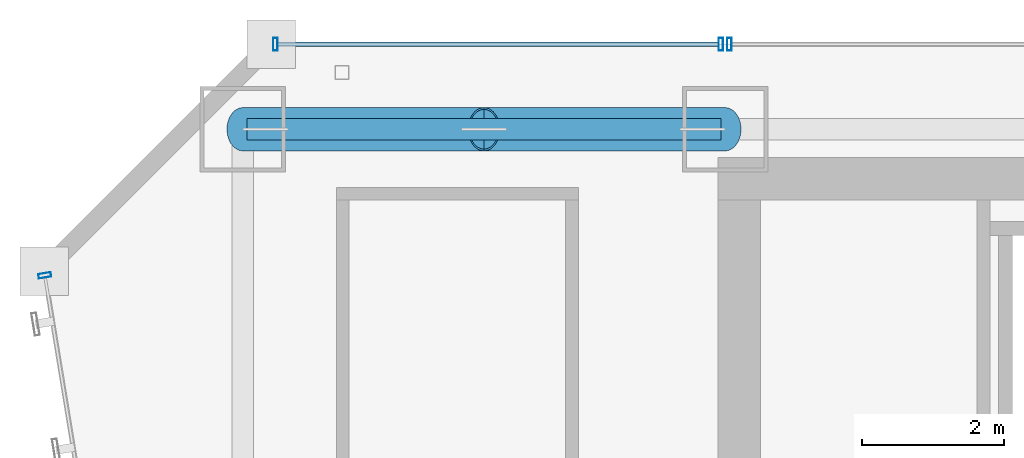
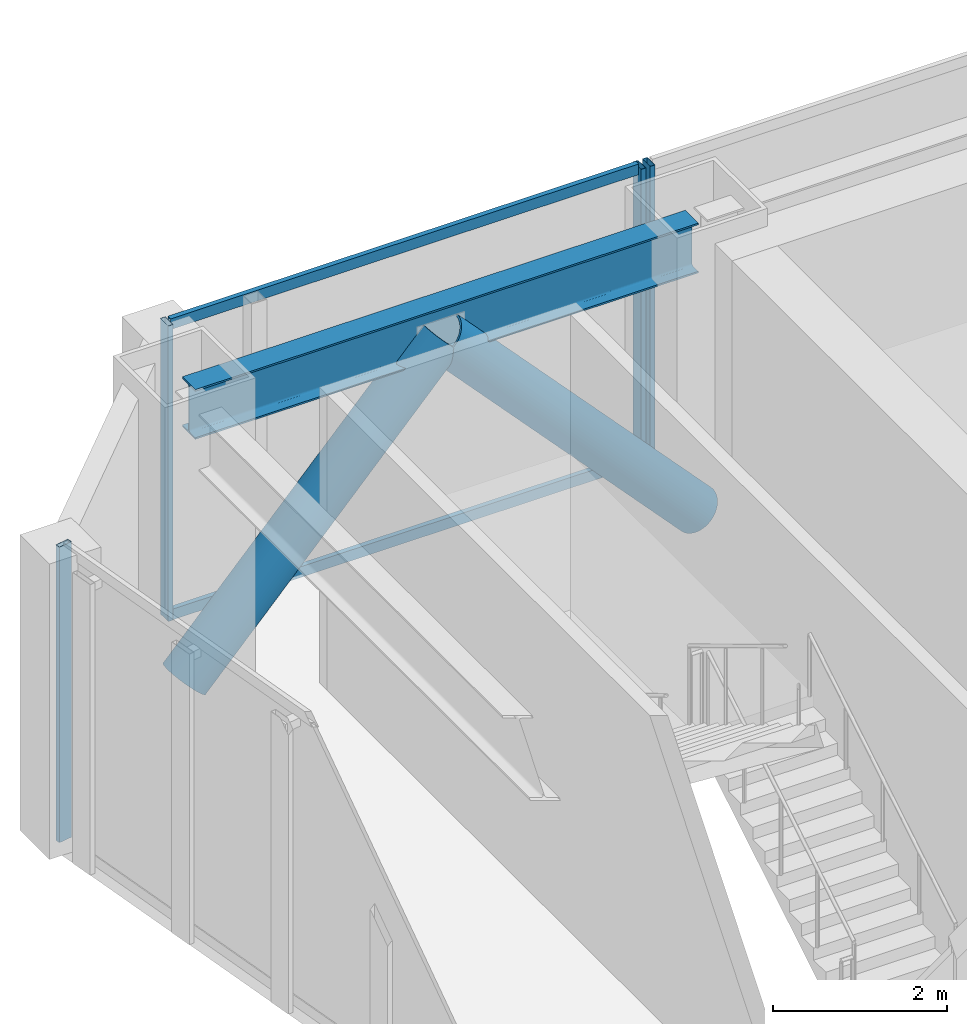
# One storey, part 26 of 47: 8 members, 1 beam, 3 elements without a shape of their own.
"""IFC4 building model written with IfcOpenShell, lengths in metres."""

from ifc_helpers import new_model, si_unit, direction, frame, origin, origin_2d, place, context, subcontext, project, spatial, hollow_rectangle, hollow_circle, i_section, extrude, material, material_profile, profile_set, type_object, element, aggregate, save


model = new_model("IFC4")

# Units and contexts
model_context = context("Model", 3, precision=1e-05, world=origin(), true_north=direction((0.0, 1.0)))
body_context = subcontext(model_context, "Body", "Model", "MODEL_VIEW")
ifc_project = project(units=[si_unit("LENGTHUNIT", "METRE"), si_unit("AREAUNIT", "SQUARE_METRE"), si_unit("VOLUMEUNIT", "CUBIC_METRE"), si_unit("PLANEANGLEUNIT", "RADIAN"), si_unit("MASSUNIT", "GRAM", prefix="KILO")], contexts=[model_context])

# Site, building, storey
site_placement = place(None, origin())
site = spatial("IfcSite", under=ifc_project, at=site_placement, CompositionType="ELEMENT")
building_placement = place(site_placement, origin())
building = spatial("IfcBuilding", under=site, at=building_placement, Name="Saevonmaru Cultural Tower", CompositionType="ELEMENT")
storey_placement = place(building_placement, frame((0.0, 0.0, 92.800048828125)))
storey = spatial("IfcBuildingStorey", under=building, at=storey_placement, Name="L19", CompositionType="ELEMENT", Elevation=92.800048828125)

# Beam
ifc_material_1 = material(Name="Steel SM355", Category="steel")
ifc_material_profile_1 = material_profile(ifc_material_1, i_section(OverallWidth=0.300048828125, OverallDepth=0.699951171875, WebThickness=0.012939453125, FlangeThickness=0.02392578125, FilletRadius=0.02587890625, at=origin_2d()), Name="H-700x300x13x24")
ifc_profile_set_1 = profile_set([ifc_material_profile_1], Name="Steel SM355")
beam_type = type_object("IfcBeamType", Name="BM-SP-H700", PredefinedType="SPANDREL", material=ifc_profile_set_1)
beam_placement = place(storey_placement, frame((6.860107421875, 54.800048828125, 3.800048828125), z_axis=(1.0, 0.0, 0.0), x_axis=(0.0, 1.0, 0.0)))
element("IfcBeam", 1, at=beam_placement, inside=storey, type_object=beam_type, Name="L19 North Spine Girder 1", PredefinedType="SPANDREL", context=body_context, shape_type="SweptSolid", body=[
    extrude(i_section(OverallWidth=0.300048828125, OverallDepth=0.699951171875, WebThickness=0.012939453125, FlangeThickness=0.02392578125, FilletRadius=0.02587890625, at=origin_2d()), origin(), (0.0, 0.0, 1.0), 6.679931640625),
])

# Members
ifc_material_2 = material(Name="Steel HSA600 (600 MPa)", Category="steel")
ifc_material_profile_2 = material_profile(ifc_material_2, hollow_circle(Radius=0.3046875, WallThickness=0.02490234375, at=origin_2d()), Name="CHS-609.6x25")
ifc_profile_set_2 = profile_set([ifc_material_profile_2], Name="Steel HSA600 (600 MPa)")
member_type_1 = type_object("IfcMemberType", Name="MB-PBR-CHS610", PredefinedType="BRACE", material=ifc_profile_set_2)
member_1_placement = place(storey_placement, frame((6.800048828125, 54.800048828125, 0.02001953125), z_axis=(0.681602937137, 0.0, 0.73172223971), x_axis=(0.0, 1.0, 0.0)))
element("IfcMember", 2, at=member_1_placement, inside=storey, type_object=member_type_1, Name="L19 Perimeter Braced-Tube Diagonal WN1", PredefinedType="BRACE", context=body_context, shape_type="SweptSolid", body=[
    extrude(hollow_circle(Radius=0.3046875, WallThickness=0.02490234375, at=origin_2d()), origin(), (0.0, 0.0, 1.0), 4.988037109375),
])
member_2_placement = place(storey_placement, frame((13.60009765625, 54.800048828125, 0.02001953125), z_axis=(-0.681629141635, 0.0, 0.731697829212), x_axis=(0.0, -1.0, 0.0)))
element("IfcMember", 3, at=member_2_placement, inside=storey, type_object=member_type_1, Name="L19 Perimeter Braced-Tube Diagonal WN2", PredefinedType="BRACE", context=body_context, shape_type="SweptSolid", body=[
    extrude(hollow_circle(Radius=0.3046875, WallThickness=0.02490234375, at=origin_2d()), origin(), (0.0, 0.0, 1.0), 4.98828125),
])

# Curtain wall, member
ifc_material_3 = material(Name="Satin Bronze Anodised Aluminium", Category="aluminium")
curtain_wall_type = type_object("IfcCurtainWallType", Name="CW-TYP-A", PredefinedType="NOTDEFINED", material=ifc_material_3)
curtain_wall_1_placement = place(storey_placement, origin())
curtain_wall_1 = element("IfcCurtainWall", 4, at=curtain_wall_1_placement, inside=storey, type_object=curtain_wall_type, Name="L19 North Spine Unitised Curtain Wall E10B", PredefinedType="NOTDEFINED")
ifc_material_profile_3 = material_profile(ifc_material_3, hollow_rectangle(XDim=0.06494140625, YDim=0.179931640625, WallThickness=0.00390625, at=origin_2d()), Name="ALU-MULL-180x65x4")
ifc_profile_set_3 = profile_set([ifc_material_profile_3], Name="Satin Bronze Anodised Aluminium")
member_type_2 = type_object("IfcMemberType", Name="ML-CW-180x65", PredefinedType="MULLION", material=ifc_profile_set_3)
member_3_placement = place(storey_placement, frame((13.659912109375, 56.0, 0.0), z_axis=(0.0, 0.0, 1.0), x_axis=(-1.0, 0.0, 0.0)))
member_3 = element("IfcMember", 5, at=member_3_placement, type_object=member_type_2, Name="CW-TW-L19-E10B mullion 4", PredefinedType="MULLION", context=body_context, shape_type="SweptSolid", body=[
    extrude(hollow_rectangle(XDim=0.06494140625, YDim=0.179931640625, WallThickness=0.00390625, at=origin_2d()), origin(), (0.0, 0.0, 1.0), 4.14990234375),
])
aggregate(curtain_wall_1, [member_3])

# Curtain wall, members
curtain_wall_2_placement = place(storey_placement, origin())
curtain_wall_2 = element("IfcCurtainWall", 6, at=curtain_wall_2_placement, inside=storey, type_object=curtain_wall_type, Name="L19 West Braced Bay Spandrel Curtain Wall E10C", PredefinedType="NOTDEFINED")
member_4_placement = place(storey_placement, frame((13.5400390625, 56.0, 0.0), z_axis=(0.0, 0.0, 1.0), x_axis=(-1.0, 0.0, 0.0)))
member_4 = element("IfcMember", 7, at=member_4_placement, type_object=member_type_2, Name="CW-TW-L19-E10C mullion 1", PredefinedType="MULLION", context=body_context, shape_type="SweptSolid", body=[
    extrude(hollow_rectangle(XDim=0.06494140625, YDim=0.179931640625, WallThickness=0.00390625, at=origin_2d()), origin(), (0.0, 0.0, 1.0), 4.14990234375),
])
member_5_placement = place(storey_placement, frame((7.260009765625, 56.0, 0.0), z_axis=(0.0, 0.0, 1.0), x_axis=(-1.0, 0.0, 0.0)))
member_5 = element("IfcMember", 8, at=member_5_placement, type_object=member_type_2, Name="CW-TW-L19-E10C mullion 2", PredefinedType="MULLION", context=body_context, shape_type="SweptSolid", body=[
    extrude(hollow_rectangle(XDim=0.06494140625, YDim=0.179931640625, WallThickness=0.00390625, at=origin_2d()), origin(), (0.0, 0.0, 1.0), 4.14990234375),
])

# Curtain wall, member
curtain_wall_3_placement = place(storey_placement, origin())
curtain_wall_3 = element("IfcCurtainWall", 9, at=curtain_wall_3_placement, inside=storey, type_object=curtain_wall_type, Name="L19 Unitised Curtain Wall E12", PredefinedType="NOTDEFINED")
member_6_placement = place(storey_placement, frame((4.009765625, 52.74072265625, 0.0), z_axis=(0.0, 0.0, 1.0), x_axis=(0.161708868641, -0.986838508472, 0.0)))
member_6 = element("IfcMember", 10, at=member_6_placement, type_object=member_type_2, Name="CW-TW-L19-E12 mullion 1", PredefinedType="MULLION", context=body_context, shape_type="SweptSolid", body=[
    extrude(hollow_rectangle(XDim=0.06494140625, YDim=0.179931640625, WallThickness=0.00390625, at=origin_2d()), origin(), (0.0, 0.0, 1.0), 4.14990234375),
])
aggregate(curtain_wall_3, [member_6])

# Member
ifc_material_profile_4 = material_profile(ifc_material_3, hollow_rectangle(XDim=0.06494140625, YDim=0.14990234375, WallThickness=0.00390625, at=origin_2d()), Name="ALU-TRAN-150x65x4")
ifc_profile_set_4 = profile_set([ifc_material_profile_4], Name="Satin Bronze Anodised Aluminium")
member_type_3 = type_object("IfcMemberType", Name="TR-CW-150x65", PredefinedType="USERDEFINED", material=ifc_profile_set_4)
member_7_placement = place(storey_placement, frame((13.507568359375, 56.0, 0.032470703125), z_axis=(-1.0, 0.0, 0.0), x_axis=(0.0, -1.0, 0.0)))
member_7 = element("IfcMember", 11, at=member_7_placement, type_object=member_type_3, Name="CW-TW-L19-E10C transom 1.1", ObjectType="TRANSOM", PredefinedType="USERDEFINED", context=body_context, shape_type="SweptSolid", body=[
    extrude(hollow_rectangle(XDim=0.06494140625, YDim=0.14990234375, WallThickness=0.00390625, at=origin_2d()), origin(), (0.0, 0.0, 1.0), 6.215087890625),
])

member_8_placement = place(storey_placement, frame((13.507568359375, 56.0, 4.117431640625), z_axis=(-1.0, 0.0, 0.0), x_axis=(0.0, -1.0, 0.0)))
member_8 = element("IfcMember", 12, at=member_8_placement, type_object=member_type_3, Name="CW-TW-L19-E10C transom 1.2", ObjectType="TRANSOM", PredefinedType="USERDEFINED", context=body_context, shape_type="SweptSolid", body=[
    extrude(hollow_rectangle(XDim=0.06494140625, YDim=0.14990234375, WallThickness=0.00390625, at=origin_2d()), origin(), (0.0, 0.0, 1.0), 6.215087890625),
])

aggregate(curtain_wall_2, [member_4, member_5, member_7, member_8])

save(model, "model.ifc")
